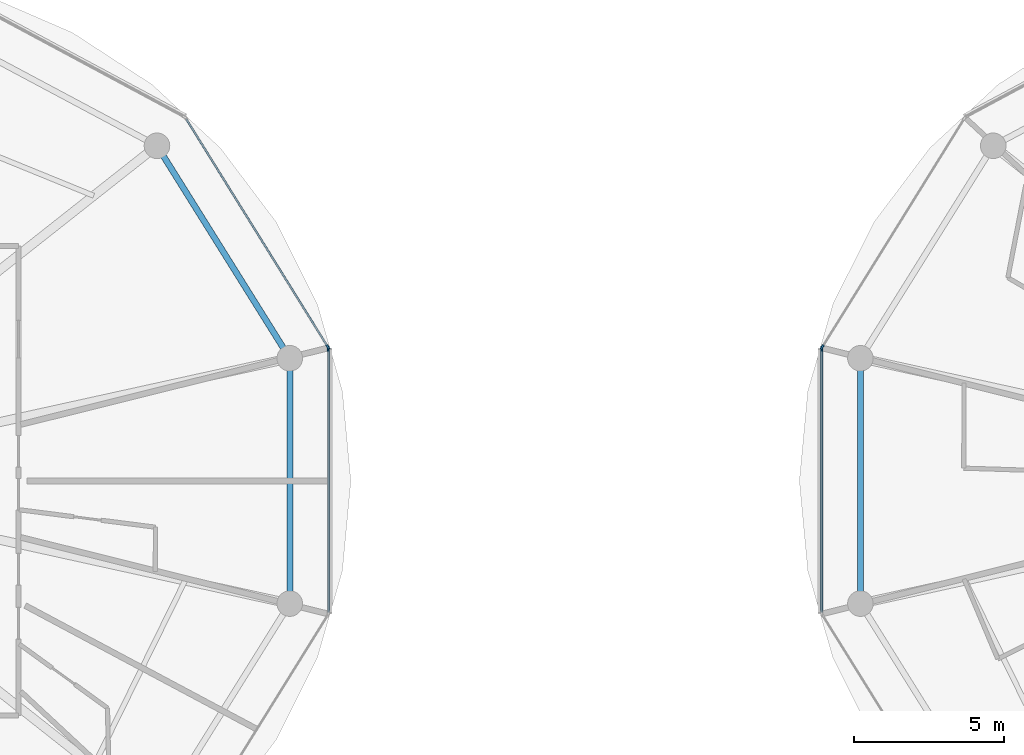
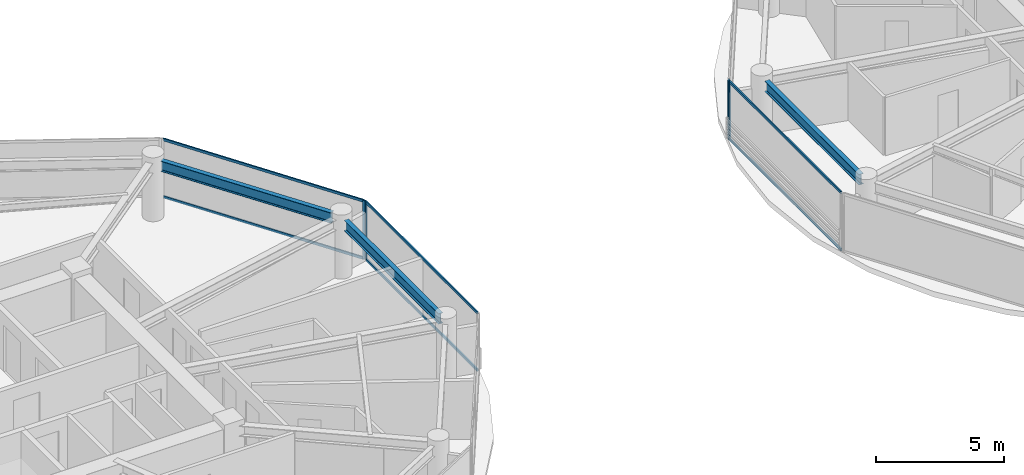
# One storey, part 7 of 24: 10 members, 3 beams, 4 elements without a shape of their own.
"""IFC4 building model written with IfcOpenShell, lengths in metres."""

from ifc_helpers import new_model, si_unit, direction, frame, origin, origin_2d, place, context, subcontext, project, spatial, rectangle, i_section, extrude, source, transform, mapped, material, layer, layer_set, material_profile, profile_set, type_object, type_shapes, element, aggregate, save


model = new_model("IFC4")

# Units and contexts
model_context = context("Model", 3, precision=1e-05, world=origin(), true_north=direction((0.0, 1.0)))
body_context = subcontext(model_context, "Body", "Model", "MODEL_VIEW")
ifc_project = project(units=[si_unit("LENGTHUNIT", "METRE"), si_unit("AREAUNIT", "SQUARE_METRE"), si_unit("VOLUMEUNIT", "CUBIC_METRE"), si_unit("PLANEANGLEUNIT", "RADIAN"), si_unit("MASSUNIT", "GRAM", prefix="KILO")], contexts=[model_context])

# Site, building, storey
site_placement = place(None, origin())
site = spatial("IfcSite", under=ifc_project, at=site_placement, CompositionType="ELEMENT")
building_placement = place(site_placement, origin())
building = spatial("IfcBuilding", under=site, at=building_placement, Name="Norrkilde Senior Care Towers", CompositionType="ELEMENT")
storey_placement = place(building_placement, frame((0.0, 0.0, 108.449951171875)))
storey = spatial("IfcBuildingStorey", under=building, at=storey_placement, Name="L33", CompositionType="ELEMENT", Elevation=108.449951171875)

# Beams
ifc_material_1 = material(Name="Steel S355", Category="steel")
ifc_material_profile_1 = material_profile(ifc_material_1, i_section(OverallWidth=0.199951171875, OverallDepth=0.5, WebThickness=0.01025390625, FlangeThickness=0.01611328125, FilletRadius=0.02099609375, at=origin_2d()), Name="IPE 500")
ifc_profile_set_1 = profile_set([ifc_material_profile_1], Name="Steel S355")
beam_type = type_object("IfcBeamType", Name="Perimeter Ring Spandrel Z2 IPE500", PredefinedType="SPANDREL", material=ifc_profile_set_1)
shared_shape_1 = source(origin(), body_context, "Body", "SweptSolid", [
    extrude(i_section(OverallWidth=0.199951171875, OverallDepth=0.5, WebThickness=0.01025390625, FlangeThickness=0.01611328125, FilletRadius=0.02099609375, at=origin_2d()), origin(), (0.0, 0.0, 1.0), 7.55615234375),
])
beam_placement = place(storey_placement, frame((-9.68505859375, 4.40283203125, 2.5400390625), z_axis=(-0.529981514254, 0.848009194849, 0.0), x_axis=(-0.848009194849, -0.529981514254, 0.0)))
element("IfcBeam", 1, at=beam_placement, inside=storey, type_object=beam_type, Name="L33 Drum W Perimeter Spandrel 01", PredefinedType="SPANDREL", context=body_context, shape_type="MappedRepresentation", body=[
    mapped(shared_shape_1, transform((0.0, 0.0, 0.0), x_axis=(1.0, 0.0, 0.0), y_axis=(0.0, 1.0, 0.0), z_axis=(0.0, 0.0, 1.0), scale=1.0)),
])
shared_shape_2 = source(origin(), body_context, "Body", "SweptSolid", [
    extrude(i_section(OverallWidth=0.199951171875, OverallDepth=0.5, WebThickness=0.01025390625, FlangeThickness=0.01611328125, FilletRadius=0.02099609375, at=origin_2d()), origin(), (0.0, 0.0, 1.0), 7.3828125),
])
type_shapes(beam_type, [shared_shape_1, shared_shape_2])
for number, where, z_axis, x_axis, name in (
    (2, (-9.48095703125, -3.69140625, 2.5400390625), (0.0, 1.0, 0.0), (-1.0, 0.0, 0.0), "L33 Drum W Perimeter Spandrel 12"),
    (3, (9.48095703125, 3.69140625, 2.5400390625), (0.0, -1.0, 0.0), (1.0, 0.0, 0.0), "L33 Drum E Perimeter Spandrel 06"),
):
    element("IfcBeam", number, at=place(storey_placement, frame(where, z_axis=z_axis, x_axis=x_axis)), inside=storey, type_object=beam_type, Name=name, PredefinedType="SPANDREL", context=body_context, shape_type="MappedRepresentation", body=[
        mapped(shared_shape_2, transform((0.0, 0.0, 0.0), x_axis=(1.0, 0.0, 0.0), y_axis=(0.0, 1.0, 0.0), z_axis=(0.0, 0.0, 1.0), scale=1.0)),
    ])

# Curtain wall, member
ifc_material_2 = material(Name="Triple Low-E Insulated Glazing", Category="glass")
ifc_layer = layer(ifc_material_2, 0.195068359375)
ifc_layer_set = layer_set([ifc_layer], Name="Triple Low-E Insulated Glazing")
curtain_wall_type = type_object("IfcCurtainWallType", Name="CW3 Zone 2 Assisted Living Curtain Wall", PredefinedType="NOTDEFINED", material=ifc_layer_set)
curtain_wall_1_placement = place(storey_placement, origin())
curtain_wall_1 = element("IfcCurtainWall", 4, at=curtain_wall_1_placement, inside=storey, type_object=curtain_wall_type, Name="L33 Drum W Curtain Wall 00", PredefinedType="NOTDEFINED")
ifc_material_3 = material(Name="Anodised Aluminium", Category="aluminium")
ifc_material_profile_2 = material_profile(ifc_material_3, rectangle(XDim=0.06494140625, YDim=0.159912109375, at=origin_2d()), Name="ALU MULL 65x160")
ifc_profile_set_2 = profile_set([ifc_material_profile_2], Name="Anodised Aluminium")
member_type_1 = type_object("IfcMemberType", Name="Curtain Wall Mullion Z1-Z2 65x160", PredefinedType="MULLION", material=ifc_profile_set_2)
shared_shape_3 = source(origin(), body_context, "Body", "SweptSolid", [
    extrude(rectangle(XDim=0.06494140625, YDim=0.159912109375, at=origin_2d()), origin(), (0.0, 0.0, 1.0), 2.7900390625),
])
type_shapes(member_type_1, [shared_shape_3])
member_1_placement = place(storey_placement, frame((-8.21337890625, 4.4482421875, 0.0), z_axis=(0.0, 0.0, 1.0), x_axis=(0.849410171862, 0.527733228002, 0.0)))
member_1 = element("IfcMember", 5, at=member_1_placement, type_object=member_type_1, Name="CW-3 mullion 2", PredefinedType="MULLION", context=body_context, shape_type="MappedRepresentation", body=[
    mapped(shared_shape_3, transform((0.0, 0.0, 0.0), x_axis=(1.0, 0.0, 0.0), y_axis=(0.0, 1.0, 0.0), z_axis=(0.0, 0.0, 1.0), scale=1.0)),
])

curtain_wall_2_placement = place(storey_placement, origin())
curtain_wall_2 = element("IfcCurtainWall", 6, at=curtain_wall_2_placement, inside=storey, type_object=curtain_wall_type, Name="L33 Drum W Curtain Wall 11", PredefinedType="NOTDEFINED")
member_2_placement = place(storey_placement, frame((-8.1962890625, 4.38818359375, 0.0), z_axis=(0.0, 0.0, 1.0), x_axis=(1.0, 0.0, 0.0)))
member_2 = element("IfcMember", 7, at=member_2_placement, type_object=member_type_1, Name="CW-3 mullion 1", PredefinedType="MULLION", context=body_context, shape_type="MappedRepresentation", body=[
    mapped(shared_shape_3, transform((0.0, 0.0, 0.0), x_axis=(1.0, 0.0, 0.0), y_axis=(0.0, 1.0, 0.0), z_axis=(0.0, 0.0, 1.0), scale=1.0)),
])

curtain_wall_3_placement = place(storey_placement, origin())
curtain_wall_3 = element("IfcCurtainWall", 8, at=curtain_wall_3_placement, inside=storey, type_object=curtain_wall_type, Name="L33 Drum E Curtain Wall 04", PredefinedType="NOTDEFINED")
member_3_placement = place(storey_placement, frame((8.21337890625, 4.4482421875, 0.0), z_axis=(0.0, 0.0, 1.0), x_axis=(-0.849410171862, 0.527733228002, 0.0)))
member_3 = element("IfcMember", 9, at=member_3_placement, type_object=member_type_1, Name="CW-3 mullion 1", PredefinedType="MULLION", context=body_context, shape_type="MappedRepresentation", body=[
    mapped(shared_shape_3, transform((0.0, 0.0, 0.0), x_axis=(1.0, 0.0, 0.0), y_axis=(0.0, 1.0, 0.0), z_axis=(0.0, 0.0, 1.0), scale=1.0)),
])
aggregate(curtain_wall_3, [member_3])

curtain_wall_4_placement = place(storey_placement, origin())
curtain_wall_4 = element("IfcCurtainWall", 10, at=curtain_wall_4_placement, inside=storey, type_object=curtain_wall_type, Name="L33 Drum E Curtain Wall 05", PredefinedType="NOTDEFINED")
member_4_placement = place(storey_placement, frame((8.1962890625, 4.38818359375, 0.0), z_axis=(0.0, 0.0, 1.0), x_axis=(-1.0, 0.0, 0.0)))
member_4 = element("IfcMember", 11, at=member_4_placement, type_object=member_type_1, Name="CW-3 mullion 2", PredefinedType="MULLION", context=body_context, shape_type="MappedRepresentation", body=[
    mapped(shared_shape_3, transform((0.0, 0.0, 0.0), x_axis=(1.0, 0.0, 0.0), y_axis=(0.0, 1.0, 0.0), z_axis=(0.0, 0.0, 1.0), scale=1.0)),
])

# Member
ifc_material_profile_3 = material_profile(ifc_material_3, rectangle(XDim=0.06005859375, YDim=0.1201171875, at=origin_2d()), Name="ALU TRAN 60x120")
ifc_profile_set_3 = profile_set([ifc_material_profile_3], Name="Anodised Aluminium")
member_type_2 = type_object("IfcMemberType", Name="Curtain Wall Transom Typical 60x120", PredefinedType="USERDEFINED", material=ifc_profile_set_3)
shared_shape_4 = source(origin(), body_context, "Body", "SweptSolid", [
    extrude(rectangle(XDim=0.06005859375, YDim=0.1201171875, at=origin_2d()), origin(), (0.0, 0.0, 1.0), 8.88427734375),
])
member_5_placement = place(storey_placement, frame((-12.919189453125, 12.022216796875, 0.030029296875), z_axis=(0.527749293309, -0.849400190377, 0.0), x_axis=(0.849400190377, 0.527749293309, 0.0)))
member_5 = element("IfcMember", 12, at=member_5_placement, type_object=member_type_2, Name="CW-3 transom 1.1", ObjectType="TRANSOM", PredefinedType="USERDEFINED", context=body_context, shape_type="MappedRepresentation", body=[
    mapped(shared_shape_4, transform((0.0, 0.0, 0.0), x_axis=(1.0, 0.0, 0.0), y_axis=(0.0, 1.0, 0.0), z_axis=(0.0, 0.0, 1.0), scale=1.0)),
])

member_6_placement = place(storey_placement, frame((-12.919189453125, 12.022216796875, 2.760009765625), z_axis=(0.527749293309, -0.849400190377, 0.0), x_axis=(0.849400190377, 0.527749293309, 0.0)))
member_6 = element("IfcMember", 13, at=member_6_placement, type_object=member_type_2, Name="CW-3 transom 1.2", ObjectType="TRANSOM", PredefinedType="USERDEFINED", context=body_context, shape_type="MappedRepresentation", body=[
    mapped(shared_shape_4, transform((0.0, 0.0, 0.0), x_axis=(1.0, 0.0, 0.0), y_axis=(0.0, 1.0, 0.0), z_axis=(0.0, 0.0, 1.0), scale=1.0)),
])

aggregate(curtain_wall_1, [member_1, member_5, member_6])

shared_shape_5 = source(origin(), body_context, "Body", "SweptSolid", [
    extrude(rectangle(XDim=0.06005859375, YDim=0.1201171875, at=origin_2d()), origin(), (0.0, 0.0, 1.0), 8.71142578125),
])
type_shapes(member_type_2, [shared_shape_4, shared_shape_5])
member_7_placement = place(storey_placement, frame((-8.1962890625, 4.355712890625, 0.030029296875), z_axis=(0.0, -1.0, 0.0), x_axis=(1.0, 0.0, 0.0)))
member_7 = element("IfcMember", 14, at=member_7_placement, type_object=member_type_2, Name="CW-3 transom 1.1", ObjectType="TRANSOM", PredefinedType="USERDEFINED", context=body_context, shape_type="MappedRepresentation", body=[
    mapped(shared_shape_5, transform((0.0, 0.0, 0.0), x_axis=(1.0, 0.0, 0.0), y_axis=(0.0, 1.0, 0.0), z_axis=(0.0, 0.0, 1.0), scale=1.0)),
])

member_8_placement = place(storey_placement, frame((-8.1962890625, 4.355712890625, 2.760009765625), z_axis=(0.0, -1.0, 0.0), x_axis=(1.0, 0.0, 0.0)))
member_8 = element("IfcMember", 15, at=member_8_placement, type_object=member_type_2, Name="CW-3 transom 1.2", ObjectType="TRANSOM", PredefinedType="USERDEFINED", context=body_context, shape_type="MappedRepresentation", body=[
    mapped(shared_shape_5, transform((0.0, 0.0, 0.0), x_axis=(1.0, 0.0, 0.0), y_axis=(0.0, 1.0, 0.0), z_axis=(0.0, 0.0, 1.0), scale=1.0)),
])

aggregate(curtain_wall_2, [member_2, member_7, member_8])

member_9_placement = place(storey_placement, frame((8.1962890625, -4.355712890625, 0.030029296875), z_axis=(0.0, 1.0, 0.0), x_axis=(-1.0, 0.0, 0.0)))
member_9 = element("IfcMember", 16, at=member_9_placement, type_object=member_type_2, Name="CW-3 transom 1.1", ObjectType="TRANSOM", PredefinedType="USERDEFINED", context=body_context, shape_type="MappedRepresentation", body=[
    mapped(shared_shape_5, transform((0.0, 0.0, 0.0), x_axis=(1.0, 0.0, 0.0), y_axis=(0.0, 1.0, 0.0), z_axis=(0.0, 0.0, 1.0), scale=1.0)),
])

member_10_placement = place(storey_placement, frame((8.1962890625, -4.355712890625, 2.760009765625), z_axis=(0.0, 1.0, 0.0), x_axis=(-1.0, 0.0, 0.0)))
member_10 = element("IfcMember", 17, at=member_10_placement, type_object=member_type_2, Name="CW-3 transom 1.2", ObjectType="TRANSOM", PredefinedType="USERDEFINED", context=body_context, shape_type="MappedRepresentation", body=[
    mapped(shared_shape_5, transform((0.0, 0.0, 0.0), x_axis=(1.0, 0.0, 0.0), y_axis=(0.0, 1.0, 0.0), z_axis=(0.0, 0.0, 1.0), scale=1.0)),
])

aggregate(curtain_wall_4, [member_4, member_9, member_10])

save(model, "model.ifc")
